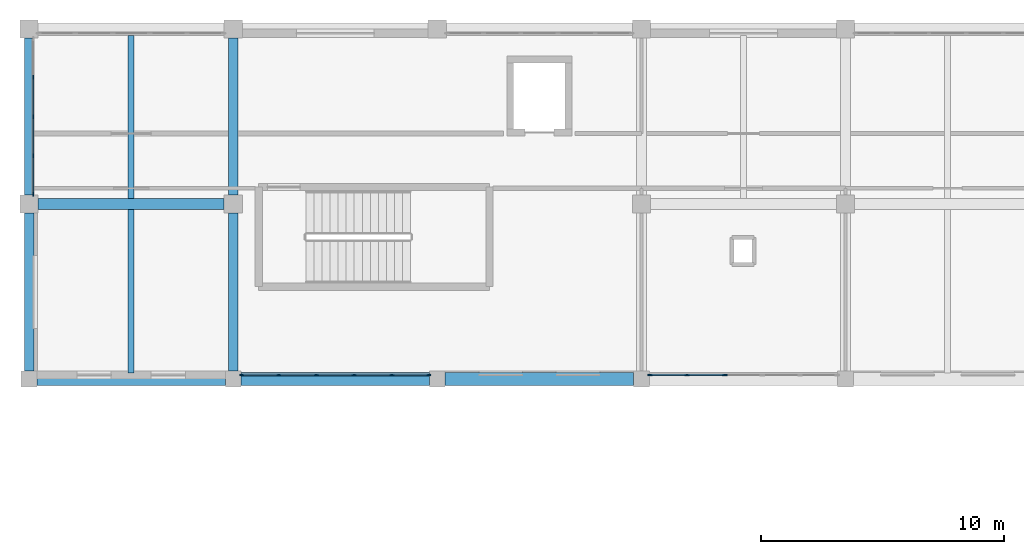
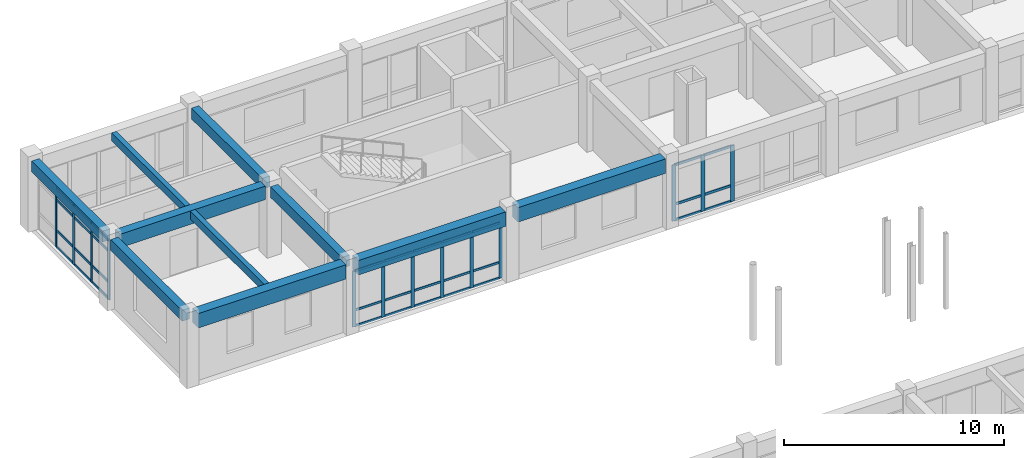
# One storey, part 61 of 147: 46 members, 10 beams, 3 elements without a shape of their own.
"""IFC4 building model written with IfcOpenShell, lengths in metres."""

from ifc_helpers import new_model, si_unit, direction, frame, origin, origin_2d, place, context, subcontext, project, spatial, rectangle, extrude, material, material_profile, profile_set, type_object, element, aggregate, save


model = new_model("IFC4")

# Units and contexts
model_context = context("Model", 3, precision=1e-05, world=origin(), true_north=direction((0.0, 1.0)))
body_context = subcontext(model_context, "Body", "Model", "MODEL_VIEW")
ifc_project = project(units=[si_unit("LENGTHUNIT", "METRE"), si_unit("AREAUNIT", "SQUARE_METRE"), si_unit("VOLUMEUNIT", "CUBIC_METRE"), si_unit("PLANEANGLEUNIT", "RADIAN"), si_unit("MASSUNIT", "GRAM", prefix="KILO")], contexts=[model_context])

# Site, building, storey
site_placement = place(None, origin())
site = spatial("IfcSite", under=ifc_project, at=site_placement, CompositionType="ELEMENT")
building_placement = place(site_placement, origin())
building = spatial("IfcBuilding", under=site, at=building_placement, Name="Malvenik Polytechnic", CompositionType="ELEMENT")
storey_placement = place(building_placement, frame((0.0, 0.0, 5.10009765625)))
storey = spatial("IfcBuildingStorey", under=building, at=storey_placement, Name="L01", CompositionType="ELEMENT", Elevation=5.10009765625)

# Curtain wall, members
ifc_material_1 = material(Name="Anodised aluminium 6060-T6", Category="aluminium")
curtain_wall_type_1 = type_object("IfcCurtainWallType", Name="ARC-CW-CW-05", PredefinedType="NOTDEFINED", material=ifc_material_1)
curtain_wall_1_placement = place(storey_placement, origin())
curtain_wall_1 = element("IfcCurtainWall", 1, at=curtain_wall_1_placement, inside=storey, type_object=curtain_wall_type_1, Name="Unitised Curtain Wall CW-05 L01 #44", PredefinedType="NOTDEFINED")
ifc_material_2 = material(Name="Anodised aluminium", Category="aluminium")
ifc_material_profile_1 = material_profile(ifc_material_2, rectangle(XDim=0.06005859375, YDim=0.159912109375, at=origin_2d()), Name="ALU MULLION 60x160")
ifc_profile_set_1 = profile_set([ifc_material_profile_1], Name="Anodised aluminium")
member_type_1 = type_object("IfcMemberType", Name="ARC-CWM-160", PredefinedType="MULLION", material=ifc_profile_set_1)
member_1_placement = place(storey_placement, frame((0.169921875, 122.802978515625, 0.0), z_axis=(0.0, 0.0, 1.0), x_axis=(-1.0, 0.0, 0.0)))
member_1 = element("IfcMember", 2, at=member_1_placement, type_object=member_type_1, Name="CW-05 mullion 1", PredefinedType="MULLION", context=body_context, shape_type="SweptSolid", body=[
    extrude(rectangle(XDim=0.06005859375, YDim=0.159912109375, at=origin_2d()), origin(), (0.0, 0.0, 1.0), 3.309814453125),
])
member_2_placement = place(storey_placement, frame((0.169921875, 124.386474609375, 0.0), z_axis=(0.0, 0.0, 1.0), x_axis=(-1.0, 0.0, 0.0)))
member_2 = element("IfcMember", 3, at=member_2_placement, type_object=member_type_1, Name="CW-05 mullion 2", PredefinedType="MULLION", context=body_context, shape_type="SweptSolid", body=[
    extrude(rectangle(XDim=0.06005859375, YDim=0.159912109375, at=origin_2d()), origin(), (0.0, 0.0, 1.0), 3.309814453125),
])
member_3_placement = place(storey_placement, frame((0.169921875, 126.0, 0.0), z_axis=(0.0, 0.0, 1.0), x_axis=(-1.0, 0.0, 0.0)))
member_3 = element("IfcMember", 4, at=member_3_placement, type_object=member_type_1, Name="CW-05 mullion 3", PredefinedType="MULLION", context=body_context, shape_type="SweptSolid", body=[
    extrude(rectangle(XDim=0.06005859375, YDim=0.159912109375, at=origin_2d()), origin(), (0.0, 0.0, 1.0), 3.309814453125),
])
member_4_placement = place(storey_placement, frame((0.169921875, 127.613525390625, 0.0), z_axis=(0.0, 0.0, 1.0), x_axis=(-1.0, 0.0, 0.0)))
member_4 = element("IfcMember", 5, at=member_4_placement, type_object=member_type_1, Name="CW-05 mullion 4", PredefinedType="MULLION", context=body_context, shape_type="SweptSolid", body=[
    extrude(rectangle(XDim=0.06005859375, YDim=0.159912109375, at=origin_2d()), origin(), (0.0, 0.0, 1.0), 3.309814453125),
])

curtain_wall_type_2 = type_object("IfcCurtainWallType", Name="ARC-CW-CW-02", PredefinedType="NOTDEFINED", material=ifc_material_1)
curtain_wall_2_placement = place(storey_placement, origin())
curtain_wall_2 = element("IfcCurtainWall", 6, at=curtain_wall_2_placement, inside=storey, type_object=curtain_wall_type_2, Name="Unitised Curtain Wall CW-02 L01 #43", PredefinedType="NOTDEFINED")
ifc_material_profile_2 = material_profile(ifc_material_2, rectangle(XDim=0.06005859375, YDim=0.179931640625, at=origin_2d()), Name="ALU MULLION 60x180")
ifc_profile_set_2 = profile_set([ifc_material_profile_2], Name="Anodised aluminium")
member_type_2 = type_object("IfcMemberType", Name="ARC-CWM-180", PredefinedType="MULLION", material=ifc_profile_set_2)
member_5_placement = place(storey_placement, frame((16.447021484375, 115.3701171875, 0.0), z_axis=(0.0, 0.0, 1.0), x_axis=(0.0, -1.0, 0.0)))
member_5 = element("IfcMember", 7, at=member_5_placement, type_object=member_type_2, Name="CW-02 mullion 1", PredefinedType="MULLION", context=body_context, shape_type="SweptSolid", body=[
    extrude(rectangle(XDim=0.06005859375, YDim=0.179931640625, at=origin_2d()), origin(), (0.0, 0.0, 1.0), 3.10986328125),
])
member_6_placement = place(storey_placement, frame((14.92626953125, 115.3701171875, 0.0), z_axis=(0.0, 0.0, 1.0), x_axis=(0.0, -1.0, 0.0)))
member_6 = element("IfcMember", 8, at=member_6_placement, type_object=member_type_2, Name="CW-02 mullion 2", PredefinedType="MULLION", context=body_context, shape_type="SweptSolid", body=[
    extrude(rectangle(XDim=0.06005859375, YDim=0.179931640625, at=origin_2d()), origin(), (0.0, 0.0, 1.0), 3.10986328125),
])
member_7_placement = place(storey_placement, frame((13.37548828125, 115.3701171875, 0.0), z_axis=(0.0, 0.0, 1.0), x_axis=(0.0, -1.0, 0.0)))
member_7 = element("IfcMember", 9, at=member_7_placement, type_object=member_type_2, Name="CW-02 mullion 3", PredefinedType="MULLION", context=body_context, shape_type="SweptSolid", body=[
    extrude(rectangle(XDim=0.06005859375, YDim=0.179931640625, at=origin_2d()), origin(), (0.0, 0.0, 1.0), 3.10986328125),
])
member_8_placement = place(storey_placement, frame((11.82470703125, 115.3701171875, 0.0), z_axis=(0.0, 0.0, 1.0), x_axis=(0.0, -1.0, 0.0)))
member_8 = element("IfcMember", 10, at=member_8_placement, type_object=member_type_2, Name="CW-02 mullion 4", PredefinedType="MULLION", context=body_context, shape_type="SweptSolid", body=[
    extrude(rectangle(XDim=0.06005859375, YDim=0.179931640625, at=origin_2d()), origin(), (0.0, 0.0, 1.0), 3.10986328125),
])
member_9_placement = place(storey_placement, frame((10.273681640625, 115.3701171875, 0.0), z_axis=(0.0, 0.0, 1.0), x_axis=(0.0, -1.0, 0.0)))
member_9 = element("IfcMember", 11, at=member_9_placement, type_object=member_type_2, Name="CW-02 mullion 5", PredefinedType="MULLION", context=body_context, shape_type="SweptSolid", body=[
    extrude(rectangle(XDim=0.06005859375, YDim=0.179931640625, at=origin_2d()), origin(), (0.0, 0.0, 1.0), 3.10986328125),
])
member_10_placement = place(storey_placement, frame((8.7529296875, 115.3701171875, 0.0), z_axis=(0.0, 0.0, 1.0), x_axis=(0.0, -1.0, 0.0)))
member_10 = element("IfcMember", 12, at=member_10_placement, type_object=member_type_2, Name="CW-02 mullion 6", PredefinedType="MULLION", context=body_context, shape_type="SweptSolid", body=[
    extrude(rectangle(XDim=0.06005859375, YDim=0.179931640625, at=origin_2d()), origin(), (0.0, 0.0, 1.0), 3.10986328125),
])

curtain_wall_3_placement = place(storey_placement, origin())
curtain_wall_3 = element("IfcCurtainWall", 13, at=curtain_wall_3_placement, inside=storey, type_object=curtain_wall_type_2, Name="Unitised Curtain Wall CW-02 L01 #42", PredefinedType="NOTDEFINED")
ifc_material_profile_3 = material_profile(ifc_material_2, rectangle(XDim=0.06005859375, YDim=0.199951171875, at=origin_2d()), Name="ALU MULLION 60x200")
ifc_profile_set_3 = profile_set([ifc_material_profile_3], Name="Anodised aluminium")
member_type_3 = type_object("IfcMemberType", Name="ARC-CWM-200", PredefinedType="MULLION", material=ifc_profile_set_3)
member_11_placement = place(storey_placement, frame((28.62451171875, 115.3701171875, 0.0), z_axis=(0.0, 0.0, 1.0), x_axis=(0.0, -1.0, 0.0)))
member_11 = element("IfcMember", 14, at=member_11_placement, type_object=member_type_3, Name="CW-02 mullion 4", PredefinedType="MULLION", context=body_context, shape_type="SweptSolid", body=[
    extrude(rectangle(XDim=0.06005859375, YDim=0.199951171875, at=origin_2d()), origin(), (0.0, 0.0, 1.0), 3.10986328125),
])
member_12_placement = place(storey_placement, frame((27.07373046875, 115.3701171875, 0.0), z_axis=(0.0, 0.0, 1.0), x_axis=(0.0, -1.0, 0.0)))
member_12 = element("IfcMember", 15, at=member_12_placement, type_object=member_type_3, Name="CW-02 mullion 5", PredefinedType="MULLION", context=body_context, shape_type="SweptSolid", body=[
    extrude(rectangle(XDim=0.06005859375, YDim=0.199951171875, at=origin_2d()), origin(), (0.0, 0.0, 1.0), 3.10986328125),
])
member_13_placement = place(storey_placement, frame((25.552978515625, 115.3701171875, 0.0), z_axis=(0.0, 0.0, 1.0), x_axis=(0.0, -1.0, 0.0)))
member_13 = element("IfcMember", 16, at=member_13_placement, type_object=member_type_3, Name="CW-02 mullion 6", PredefinedType="MULLION", context=body_context, shape_type="SweptSolid", body=[
    extrude(rectangle(XDim=0.06005859375, YDim=0.199951171875, at=origin_2d()), origin(), (0.0, 0.0, 1.0), 3.10986328125),
])

# Member
ifc_material_profile_4 = material_profile(ifc_material_2, rectangle(XDim=0.06005859375, YDim=0.1201171875, at=origin_2d()), Name="ALU TRANSOM 60x120")
ifc_profile_set_4 = profile_set([ifc_material_profile_4], Name="Anodised aluminium")
member_type_4 = type_object("IfcMemberType", Name="ARC-CWT-120", PredefinedType="USERDEFINED", material=ifc_profile_set_4)
member_14_placement = place(storey_placement, frame((16.4169921875, 115.3701171875, 0.02978515625), z_axis=(-1.0, 0.0, 0.0), x_axis=(0.0, -1.0, 0.0)))
member_14 = element("IfcMember", 17, at=member_14_placement, type_object=member_type_4, Name="CW-02 transom 1.1", ObjectType="TRANSOM", PredefinedType="USERDEFINED", context=body_context, shape_type="SweptSolid", body=[
    extrude(rectangle(XDim=0.06005859375, YDim=0.1201171875, at=origin_2d()), origin(), (0.0, 0.0, 1.0), 1.460693359375),
])

member_15_placement = place(storey_placement, frame((16.4169921875, 115.3701171875, 0.89990234375), z_axis=(-1.0, 0.0, 0.0), x_axis=(0.0, -1.0, 0.0)))
member_15 = element("IfcMember", 18, at=member_15_placement, type_object=member_type_4, Name="CW-02 transom 1.2", ObjectType="TRANSOM", PredefinedType="USERDEFINED", context=body_context, shape_type="SweptSolid", body=[
    extrude(rectangle(XDim=0.06005859375, YDim=0.1201171875, at=origin_2d()), origin(), (0.0, 0.0, 1.0), 1.460693359375),
])

member_16_placement = place(storey_placement, frame((16.4169921875, 115.3701171875, 3.079833984375), z_axis=(-1.0, 0.0, 0.0), x_axis=(0.0, -1.0, 0.0)))
member_16 = element("IfcMember", 19, at=member_16_placement, type_object=member_type_4, Name="CW-02 transom 1.3", ObjectType="TRANSOM", PredefinedType="USERDEFINED", context=body_context, shape_type="SweptSolid", body=[
    extrude(rectangle(XDim=0.06005859375, YDim=0.1201171875, at=origin_2d()), origin(), (0.0, 0.0, 1.0), 1.460693359375),
])

member_17_placement = place(storey_placement, frame((14.896240234375, 115.3701171875, 0.02978515625), z_axis=(-1.0, 0.0, 0.0), x_axis=(0.0, -1.0, 0.0)))
member_17 = element("IfcMember", 20, at=member_17_placement, type_object=member_type_4, Name="CW-02 transom 2.1", ObjectType="TRANSOM", PredefinedType="USERDEFINED", context=body_context, shape_type="SweptSolid", body=[
    extrude(rectangle(XDim=0.06005859375, YDim=0.1201171875, at=origin_2d()), origin(), (0.0, 0.0, 1.0), 1.49072265625),
])

member_18_placement = place(storey_placement, frame((14.896240234375, 115.3701171875, 0.89990234375), z_axis=(-1.0, 0.0, 0.0), x_axis=(0.0, -1.0, 0.0)))
member_18 = element("IfcMember", 21, at=member_18_placement, type_object=member_type_4, Name="CW-02 transom 2.2", ObjectType="TRANSOM", PredefinedType="USERDEFINED", context=body_context, shape_type="SweptSolid", body=[
    extrude(rectangle(XDim=0.06005859375, YDim=0.1201171875, at=origin_2d()), origin(), (0.0, 0.0, 1.0), 1.49072265625),
])

member_19_placement = place(storey_placement, frame((14.896240234375, 115.3701171875, 3.079833984375), z_axis=(-1.0, 0.0, 0.0), x_axis=(0.0, -1.0, 0.0)))
member_19 = element("IfcMember", 22, at=member_19_placement, type_object=member_type_4, Name="CW-02 transom 2.3", ObjectType="TRANSOM", PredefinedType="USERDEFINED", context=body_context, shape_type="SweptSolid", body=[
    extrude(rectangle(XDim=0.06005859375, YDim=0.1201171875, at=origin_2d()), origin(), (0.0, 0.0, 1.0), 1.49072265625),
])

member_20_placement = place(storey_placement, frame((13.345458984375, 115.3701171875, 0.02978515625), z_axis=(-1.0, 0.0, 0.0), x_axis=(0.0, -1.0, 0.0)))
member_20 = element("IfcMember", 23, at=member_20_placement, type_object=member_type_4, Name="CW-02 transom 3.1", ObjectType="TRANSOM", PredefinedType="USERDEFINED", context=body_context, shape_type="SweptSolid", body=[
    extrude(rectangle(XDim=0.06005859375, YDim=0.1201171875, at=origin_2d()), origin(), (0.0, 0.0, 1.0), 1.490966796875),
])

member_21_placement = place(storey_placement, frame((13.345458984375, 115.3701171875, 0.89990234375), z_axis=(-1.0, 0.0, 0.0), x_axis=(0.0, -1.0, 0.0)))
member_21 = element("IfcMember", 24, at=member_21_placement, type_object=member_type_4, Name="CW-02 transom 3.2", ObjectType="TRANSOM", PredefinedType="USERDEFINED", context=body_context, shape_type="SweptSolid", body=[
    extrude(rectangle(XDim=0.06005859375, YDim=0.1201171875, at=origin_2d()), origin(), (0.0, 0.0, 1.0), 1.490966796875),
])

member_22_placement = place(storey_placement, frame((13.345458984375, 115.3701171875, 3.079833984375), z_axis=(-1.0, 0.0, 0.0), x_axis=(0.0, -1.0, 0.0)))
member_22 = element("IfcMember", 25, at=member_22_placement, type_object=member_type_4, Name="CW-02 transom 3.3", ObjectType="TRANSOM", PredefinedType="USERDEFINED", context=body_context, shape_type="SweptSolid", body=[
    extrude(rectangle(XDim=0.06005859375, YDim=0.1201171875, at=origin_2d()), origin(), (0.0, 0.0, 1.0), 1.490966796875),
])

member_23_placement = place(storey_placement, frame((11.794677734375, 115.3701171875, 0.02978515625), z_axis=(-1.0, 0.0, 0.0), x_axis=(0.0, -1.0, 0.0)))
member_23 = element("IfcMember", 26, at=member_23_placement, type_object=member_type_4, Name="CW-02 transom 4.1", ObjectType="TRANSOM", PredefinedType="USERDEFINED", context=body_context, shape_type="SweptSolid", body=[
    extrude(rectangle(XDim=0.06005859375, YDim=0.1201171875, at=origin_2d()), origin(), (0.0, 0.0, 1.0), 1.490966796875),
])

member_24_placement = place(storey_placement, frame((11.794677734375, 115.3701171875, 0.89990234375), z_axis=(-1.0, 0.0, 0.0), x_axis=(0.0, -1.0, 0.0)))
member_24 = element("IfcMember", 27, at=member_24_placement, type_object=member_type_4, Name="CW-02 transom 4.2", ObjectType="TRANSOM", PredefinedType="USERDEFINED", context=body_context, shape_type="SweptSolid", body=[
    extrude(rectangle(XDim=0.06005859375, YDim=0.1201171875, at=origin_2d()), origin(), (0.0, 0.0, 1.0), 1.490966796875),
])

member_25_placement = place(storey_placement, frame((11.794677734375, 115.3701171875, 3.079833984375), z_axis=(-1.0, 0.0, 0.0), x_axis=(0.0, -1.0, 0.0)))
member_25 = element("IfcMember", 28, at=member_25_placement, type_object=member_type_4, Name="CW-02 transom 4.3", ObjectType="TRANSOM", PredefinedType="USERDEFINED", context=body_context, shape_type="SweptSolid", body=[
    extrude(rectangle(XDim=0.06005859375, YDim=0.1201171875, at=origin_2d()), origin(), (0.0, 0.0, 1.0), 1.490966796875),
])

member_26_placement = place(storey_placement, frame((10.243896484375, 115.3701171875, 0.02978515625), z_axis=(-1.0, 0.0, 0.0), x_axis=(0.0, -1.0, 0.0)))
member_26 = element("IfcMember", 29, at=member_26_placement, type_object=member_type_4, Name="CW-02 transom 5.1", ObjectType="TRANSOM", PredefinedType="USERDEFINED", context=body_context, shape_type="SweptSolid", body=[
    extrude(rectangle(XDim=0.06005859375, YDim=0.1201171875, at=origin_2d()), origin(), (0.0, 0.0, 1.0), 1.4609375),
])

member_27_placement = place(storey_placement, frame((10.243896484375, 115.3701171875, 0.89990234375), z_axis=(-1.0, 0.0, 0.0), x_axis=(0.0, -1.0, 0.0)))
member_27 = element("IfcMember", 30, at=member_27_placement, type_object=member_type_4, Name="CW-02 transom 5.2", ObjectType="TRANSOM", PredefinedType="USERDEFINED", context=body_context, shape_type="SweptSolid", body=[
    extrude(rectangle(XDim=0.06005859375, YDim=0.1201171875, at=origin_2d()), origin(), (0.0, 0.0, 1.0), 1.4609375),
])

member_28_placement = place(storey_placement, frame((10.243896484375, 115.3701171875, 3.079833984375), z_axis=(-1.0, 0.0, 0.0), x_axis=(0.0, -1.0, 0.0)))
member_28 = element("IfcMember", 31, at=member_28_placement, type_object=member_type_4, Name="CW-02 transom 5.3", ObjectType="TRANSOM", PredefinedType="USERDEFINED", context=body_context, shape_type="SweptSolid", body=[
    extrude(rectangle(XDim=0.06005859375, YDim=0.1201171875, at=origin_2d()), origin(), (0.0, 0.0, 1.0), 1.4609375),
])

aggregate(curtain_wall_2, [member_5, member_6, member_7, member_8, member_9, member_10, member_14, member_15, member_16, member_17, member_18, member_19, member_20, member_21, member_22, member_23, member_24, member_25, member_26, member_27, member_28])

ifc_material_profile_5 = material_profile(ifc_material_2, rectangle(XDim=0.06005859375, YDim=0.139892578125, at=origin_2d()), Name="ALU TRANSOM 60x140")
ifc_profile_set_5 = profile_set([ifc_material_profile_5], Name="Anodised aluminium")
member_type_5 = type_object("IfcMemberType", Name="ARC-CWT-140", PredefinedType="USERDEFINED", material=ifc_profile_set_5)
member_29_placement = place(storey_placement, frame((28.594482421875, 115.3701171875, 0.02978515625), z_axis=(-1.0, 0.0, 0.0), x_axis=(0.0, -1.0, 0.0)))
member_29 = element("IfcMember", 32, at=member_29_placement, type_object=member_type_5, Name="CW-02 transom 4.1", ObjectType="TRANSOM", PredefinedType="USERDEFINED", context=body_context, shape_type="SweptSolid", body=[
    extrude(rectangle(XDim=0.06005859375, YDim=0.139892578125, at=origin_2d()), origin(), (0.0, 0.0, 1.0), 1.49072265625),
])

member_30_placement = place(storey_placement, frame((28.594482421875, 115.3701171875, 0.89990234375), z_axis=(-1.0, 0.0, 0.0), x_axis=(0.0, -1.0, 0.0)))
member_30 = element("IfcMember", 33, at=member_30_placement, type_object=member_type_5, Name="CW-02 transom 4.2", ObjectType="TRANSOM", PredefinedType="USERDEFINED", context=body_context, shape_type="SweptSolid", body=[
    extrude(rectangle(XDim=0.06005859375, YDim=0.139892578125, at=origin_2d()), origin(), (0.0, 0.0, 1.0), 1.49072265625),
])

member_31_placement = place(storey_placement, frame((28.594482421875, 115.3701171875, 3.079833984375), z_axis=(-1.0, 0.0, 0.0), x_axis=(0.0, -1.0, 0.0)))
member_31 = element("IfcMember", 34, at=member_31_placement, type_object=member_type_5, Name="CW-02 transom 4.3", ObjectType="TRANSOM", PredefinedType="USERDEFINED", context=body_context, shape_type="SweptSolid", body=[
    extrude(rectangle(XDim=0.06005859375, YDim=0.139892578125, at=origin_2d()), origin(), (0.0, 0.0, 1.0), 1.49072265625),
])

member_32_placement = place(storey_placement, frame((27.043701171875, 115.3701171875, 0.02978515625), z_axis=(-1.0, 0.0, 0.0), x_axis=(0.0, -1.0, 0.0)))
member_32 = element("IfcMember", 35, at=member_32_placement, type_object=member_type_5, Name="CW-02 transom 5.1", ObjectType="TRANSOM", PredefinedType="USERDEFINED", context=body_context, shape_type="SweptSolid", body=[
    extrude(rectangle(XDim=0.06005859375, YDim=0.139892578125, at=origin_2d()), origin(), (0.0, 0.0, 1.0), 1.460693359375),
])

member_33_placement = place(storey_placement, frame((27.043701171875, 115.3701171875, 0.89990234375), z_axis=(-1.0, 0.0, 0.0), x_axis=(0.0, -1.0, 0.0)))
member_33 = element("IfcMember", 36, at=member_33_placement, type_object=member_type_5, Name="CW-02 transom 5.2", ObjectType="TRANSOM", PredefinedType="USERDEFINED", context=body_context, shape_type="SweptSolid", body=[
    extrude(rectangle(XDim=0.06005859375, YDim=0.139892578125, at=origin_2d()), origin(), (0.0, 0.0, 1.0), 1.460693359375),
])

member_34_placement = place(storey_placement, frame((27.043701171875, 115.3701171875, 3.079833984375), z_axis=(-1.0, 0.0, 0.0), x_axis=(0.0, -1.0, 0.0)))
member_34 = element("IfcMember", 37, at=member_34_placement, type_object=member_type_5, Name="CW-02 transom 5.3", ObjectType="TRANSOM", PredefinedType="USERDEFINED", context=body_context, shape_type="SweptSolid", body=[
    extrude(rectangle(XDim=0.06005859375, YDim=0.139892578125, at=origin_2d()), origin(), (0.0, 0.0, 1.0), 1.460693359375),
])

aggregate(curtain_wall_3, [member_11, member_12, member_13, member_29, member_30, member_31, member_32, member_33, member_34])

member_35_placement = place(storey_placement, frame((0.169921875, 122.8330078125, 0.02978515625), z_axis=(0.0, 1.0, 0.0), x_axis=(-1.0, 0.0, 0.0)))
member_35 = element("IfcMember", 38, at=member_35_placement, type_object=member_type_5, Name="CW-05 transom 1.1", ObjectType="TRANSOM", PredefinedType="USERDEFINED", context=body_context, shape_type="SweptSolid", body=[
    extrude(rectangle(XDim=0.06005859375, YDim=0.139892578125, at=origin_2d()), origin(), (0.0, 0.0, 1.0), 1.5234375),
])

member_36_placement = place(storey_placement, frame((0.169921875, 122.8330078125, 0.949951171875), z_axis=(0.0, 1.0, 0.0), x_axis=(-1.0, 0.0, 0.0)))
member_36 = element("IfcMember", 39, at=member_36_placement, type_object=member_type_5, Name="CW-05 transom 1.2", ObjectType="TRANSOM", PredefinedType="USERDEFINED", context=body_context, shape_type="SweptSolid", body=[
    extrude(rectangle(XDim=0.06005859375, YDim=0.139892578125, at=origin_2d()), origin(), (0.0, 0.0, 1.0), 1.5234375),
])

member_37_placement = place(storey_placement, frame((0.169921875, 122.8330078125, 2.659912109375), z_axis=(0.0, 1.0, 0.0), x_axis=(-1.0, 0.0, 0.0)))
member_37 = element("IfcMember", 40, at=member_37_placement, type_object=member_type_5, Name="CW-05 transom 1.3", ObjectType="TRANSOM", PredefinedType="USERDEFINED", context=body_context, shape_type="SweptSolid", body=[
    extrude(rectangle(XDim=0.06005859375, YDim=0.139892578125, at=origin_2d()), origin(), (0.0, 0.0, 1.0), 1.5234375),
])

member_38_placement = place(storey_placement, frame((0.169921875, 122.8330078125, 3.27978515625), z_axis=(0.0, 1.0, 0.0), x_axis=(-1.0, 0.0, 0.0)))
member_38 = element("IfcMember", 41, at=member_38_placement, type_object=member_type_5, Name="CW-05 transom 1.4", ObjectType="TRANSOM", PredefinedType="USERDEFINED", context=body_context, shape_type="SweptSolid", body=[
    extrude(rectangle(XDim=0.06005859375, YDim=0.139892578125, at=origin_2d()), origin(), (0.0, 0.0, 1.0), 1.5234375),
])

member_39_placement = place(storey_placement, frame((0.169921875, 124.41650390625, 0.02978515625), z_axis=(0.0, 1.0, 0.0), x_axis=(-1.0, 0.0, 0.0)))
member_39 = element("IfcMember", 42, at=member_39_placement, type_object=member_type_5, Name="CW-05 transom 2.1", ObjectType="TRANSOM", PredefinedType="USERDEFINED", context=body_context, shape_type="SweptSolid", body=[
    extrude(rectangle(XDim=0.06005859375, YDim=0.139892578125, at=origin_2d()), origin(), (0.0, 0.0, 1.0), 1.553466796875),
])

member_40_placement = place(storey_placement, frame((0.169921875, 124.41650390625, 0.949951171875), z_axis=(0.0, 1.0, 0.0), x_axis=(-1.0, 0.0, 0.0)))
member_40 = element("IfcMember", 43, at=member_40_placement, type_object=member_type_5, Name="CW-05 transom 2.2", ObjectType="TRANSOM", PredefinedType="USERDEFINED", context=body_context, shape_type="SweptSolid", body=[
    extrude(rectangle(XDim=0.06005859375, YDim=0.139892578125, at=origin_2d()), origin(), (0.0, 0.0, 1.0), 1.553466796875),
])

member_41_placement = place(storey_placement, frame((0.169921875, 124.41650390625, 2.659912109375), z_axis=(0.0, 1.0, 0.0), x_axis=(-1.0, 0.0, 0.0)))
member_41 = element("IfcMember", 44, at=member_41_placement, type_object=member_type_5, Name="CW-05 transom 2.3", ObjectType="TRANSOM", PredefinedType="USERDEFINED", context=body_context, shape_type="SweptSolid", body=[
    extrude(rectangle(XDim=0.06005859375, YDim=0.139892578125, at=origin_2d()), origin(), (0.0, 0.0, 1.0), 1.553466796875),
])

member_42_placement = place(storey_placement, frame((0.169921875, 124.41650390625, 3.27978515625), z_axis=(0.0, 1.0, 0.0), x_axis=(-1.0, 0.0, 0.0)))
member_42 = element("IfcMember", 45, at=member_42_placement, type_object=member_type_5, Name="CW-05 transom 2.4", ObjectType="TRANSOM", PredefinedType="USERDEFINED", context=body_context, shape_type="SweptSolid", body=[
    extrude(rectangle(XDim=0.06005859375, YDim=0.139892578125, at=origin_2d()), origin(), (0.0, 0.0, 1.0), 1.553466796875),
])

member_43_placement = place(storey_placement, frame((0.169921875, 126.030029296875, 0.02978515625), z_axis=(0.0, 1.0, 0.0), x_axis=(-1.0, 0.0, 0.0)))
member_43 = element("IfcMember", 46, at=member_43_placement, type_object=member_type_5, Name="CW-05 transom 3.1", ObjectType="TRANSOM", PredefinedType="USERDEFINED", context=body_context, shape_type="SweptSolid", body=[
    extrude(rectangle(XDim=0.06005859375, YDim=0.139892578125, at=origin_2d()), origin(), (0.0, 0.0, 1.0), 1.553466796875),
])

member_44_placement = place(storey_placement, frame((0.169921875, 126.030029296875, 0.949951171875), z_axis=(0.0, 1.0, 0.0), x_axis=(-1.0, 0.0, 0.0)))
member_44 = element("IfcMember", 47, at=member_44_placement, type_object=member_type_5, Name="CW-05 transom 3.2", ObjectType="TRANSOM", PredefinedType="USERDEFINED", context=body_context, shape_type="SweptSolid", body=[
    extrude(rectangle(XDim=0.06005859375, YDim=0.139892578125, at=origin_2d()), origin(), (0.0, 0.0, 1.0), 1.553466796875),
])

member_45_placement = place(storey_placement, frame((0.169921875, 126.030029296875, 2.659912109375), z_axis=(0.0, 1.0, 0.0), x_axis=(-1.0, 0.0, 0.0)))
member_45 = element("IfcMember", 48, at=member_45_placement, type_object=member_type_5, Name="CW-05 transom 3.3", ObjectType="TRANSOM", PredefinedType="USERDEFINED", context=body_context, shape_type="SweptSolid", body=[
    extrude(rectangle(XDim=0.06005859375, YDim=0.139892578125, at=origin_2d()), origin(), (0.0, 0.0, 1.0), 1.553466796875),
])

member_46_placement = place(storey_placement, frame((0.169921875, 126.030029296875, 3.27978515625), z_axis=(0.0, 1.0, 0.0), x_axis=(-1.0, 0.0, 0.0)))
member_46 = element("IfcMember", 49, at=member_46_placement, type_object=member_type_5, Name="CW-05 transom 3.4", ObjectType="TRANSOM", PredefinedType="USERDEFINED", context=body_context, shape_type="SweptSolid", body=[
    extrude(rectangle(XDim=0.06005859375, YDim=0.139892578125, at=origin_2d()), origin(), (0.0, 0.0, 1.0), 1.553466796875),
])

aggregate(curtain_wall_1, [member_1, member_2, member_3, member_4, member_35, member_36, member_37, member_38, member_39, member_40, member_41, member_42, member_43, member_44, member_45, member_46])

# Beams
ifc_material_3 = material(Name="Concrete C35/45", Category="concrete")
ifc_material_profile_6 = material_profile(ifc_material_3, rectangle(XDim=0.449951171875, YDim=0.75, at=origin_2d()), Name="RC BM 450x750")
ifc_profile_set_6 = profile_set([ifc_material_profile_6], Name="Concrete C35/45")
beam_type_1 = type_object("IfcBeamType", Name="STR-BM-B-03", PredefinedType="BEAM", material=ifc_profile_set_6)
beam_1_placement = place(storey_placement, frame((0.373046875, 122.39990234375, 3.544921875), z_axis=(1.0, 0.0, 0.0), x_axis=(0.0, 1.0, 0.0)))
element("IfcBeam", 50, at=beam_1_placement, inside=storey, type_object=beam_type_1, Name="Primary Beam B-03 L01 #1101", PredefinedType="BEAM", context=body_context, shape_type="SweptSolid", body=[
    extrude(rectangle(XDim=0.449951171875, YDim=0.75, at=origin_2d()), origin(), (0.0, 0.0, 1.0), 7.654052734375),
])
ifc_material_profile_7 = material_profile(ifc_material_3, rectangle(XDim=0.39990234375, YDim=0.60009765625, at=origin_2d()), Name="RC BM 400x600")
ifc_profile_set_7 = profile_set([ifc_material_profile_7], Name="Concrete C35/45")
beam_type_2 = type_object("IfcBeamType", Name="STR-BM-B-06", PredefinedType="BEAM", material=ifc_profile_set_7)
beam_2_placement = place(storey_placement, frame((0.0, 115.52294921875, 3.619873046875), z_axis=(0.0, 1.0, 0.0), x_axis=(-1.0, 0.0, 0.0)))
element("IfcBeam", 51, at=beam_2_placement, inside=storey, type_object=beam_type_2, Name="Transverse Beam B-06 L01 #1129", PredefinedType="BEAM", context=body_context, shape_type="SweptSolid", body=[
    extrude(rectangle(XDim=0.39990234375, YDim=0.60009765625, at=origin_2d()), origin(), (0.0, 0.0, 1.0), 6.504150390625),
])
beam_3_placement = place(storey_placement, frame((0.0, 122.77294921875, 3.619873046875), z_axis=(0.0, 1.0, 0.0), x_axis=(-1.0, 0.0, 0.0)))
element("IfcBeam", 52, at=beam_3_placement, inside=storey, type_object=beam_type_2, Name="Transverse Beam B-06 L01 #1130", PredefinedType="BEAM", context=body_context, shape_type="SweptSolid", body=[
    extrude(rectangle(XDim=0.39990234375, YDim=0.60009765625, at=origin_2d()), origin(), (0.0, 0.0, 1.0), 6.4541015625),
])
beam_4_placement = place(storey_placement, frame((8.39990234375, 115.52294921875, 3.619873046875), z_axis=(0.0, 1.0, 0.0), x_axis=(-1.0, 0.0, 0.0)))
element("IfcBeam", 53, at=beam_4_placement, inside=storey, type_object=beam_type_2, Name="Transverse Beam B-06 L01 #1135", PredefinedType="BEAM", context=body_context, shape_type="SweptSolid", body=[
    extrude(rectangle(XDim=0.39990234375, YDim=0.60009765625, at=origin_2d()), origin(), (0.0, 0.0, 1.0), 6.504150390625),
])
beam_5_placement = place(storey_placement, frame((8.39990234375, 122.77294921875, 3.619873046875), z_axis=(0.0, 1.0, 0.0), x_axis=(-1.0, 0.0, 0.0)))
element("IfcBeam", 54, at=beam_5_placement, inside=storey, type_object=beam_type_2, Name="Transverse Beam B-06 L01 #1136", PredefinedType="BEAM", context=body_context, shape_type="SweptSolid", body=[
    extrude(rectangle(XDim=0.39990234375, YDim=0.60009765625, at=origin_2d()), origin(), (0.0, 0.0, 1.0), 6.4541015625),
])
ifc_material_4 = material(Name="Concrete C30/37", Category="concrete")
ifc_material_profile_8 = material_profile(ifc_material_4, rectangle(XDim=0.25, YDim=0.449951171875, at=origin_2d()), Name="RC JST 250x450")
ifc_profile_set_8 = profile_set([ifc_material_profile_8], Name="Concrete C30/37")
beam_type_3 = type_object("IfcBeamType", Name="STR-BM-J-02", PredefinedType="JOIST", material=ifc_profile_set_8)
for number, where, z_axis, x_axis, name in (
    (55, (4.199951171875, 115.4580078125, 3.69482421875), (0.0, 1.0, 0.0), (-1.0, 0.0, 0.0), "Secondary Rib Joist J-02 L01 #1252"),
    (56, (4.199951171875, 122.623046875, 3.69482421875), (0.0, 1.0, 0.0), (-1.0, 0.0, 0.0), "Secondary Rib Joist J-02 L01 #1253"),
):
    element("IfcBeam", number, at=place(storey_placement, frame(where, z_axis=z_axis, x_axis=x_axis)), inside=storey, type_object=beam_type_3, Name=name, PredefinedType="JOIST", context=body_context, shape_type="SweptSolid", body=[
        extrude(rectangle(XDim=0.25, YDim=0.449951171875, at=origin_2d()), origin(), (0.0, 0.0, 1.0), 6.718994140625),
    ])
ifc_material_5 = material(Name="Precast concrete C40/50", Category="concrete")
ifc_material_profile_9 = material_profile(ifc_material_5, rectangle(XDim=0.52001953125, YDim=0.800048828125, at=origin_2d()), Name="PC SPN 520x800")
ifc_profile_set_9 = profile_set([ifc_material_profile_9], Name="Precast concrete C40/50")
beam_type_4 = type_object("IfcBeamType", Name="STR-BM-SP-01", PredefinedType="SPANDREL", material=ifc_profile_set_9)
beam_6_placement = place(storey_placement, frame((0.322998046875, 115.199951171875, 3.52001953125), z_axis=(1.0, 0.0, 0.0), x_axis=(0.0, 1.0, 0.0)))
element("IfcBeam", 57, at=beam_6_placement, inside=storey, type_object=beam_type_4, Name="Primary Beam SP-01 L01 #1085", PredefinedType="SPANDREL", context=body_context, shape_type="SweptSolid", body=[
    extrude(rectangle(XDim=0.52001953125, YDim=0.800048828125, at=origin_2d()), origin(), (0.0, 0.0, 1.0), 7.75390625),
])
beam_7_placement = place(storey_placement, frame((8.722900390625, 115.199951171875, 3.52001953125), z_axis=(1.0, 0.0, 0.0), x_axis=(0.0, 1.0, 0.0)))
element("IfcBeam", 58, at=beam_7_placement, inside=storey, type_object=beam_type_4, Name="Primary Beam SP-01 L01 #1086", PredefinedType="SPANDREL", context=body_context, shape_type="SweptSolid", body=[
    extrude(rectangle(XDim=0.52001953125, YDim=0.800048828125, at=origin_2d()), origin(), (0.0, 0.0, 1.0), 7.754150390625),
])
beam_8_placement = place(storey_placement, frame((17.123046875, 115.199951171875, 3.52001953125), z_axis=(1.0, 0.0, 0.0), x_axis=(0.0, 1.0, 0.0)))
element("IfcBeam", 59, at=beam_8_placement, inside=storey, type_object=beam_type_4, Name="Primary Beam SP-01 L01 #1087", PredefinedType="SPANDREL", context=body_context, shape_type="SweptSolid", body=[
    extrude(rectangle(XDim=0.52001953125, YDim=0.800048828125, at=origin_2d()), origin(), (0.0, 0.0, 1.0), 7.75390625),
])

save(model, "model.ifc")
